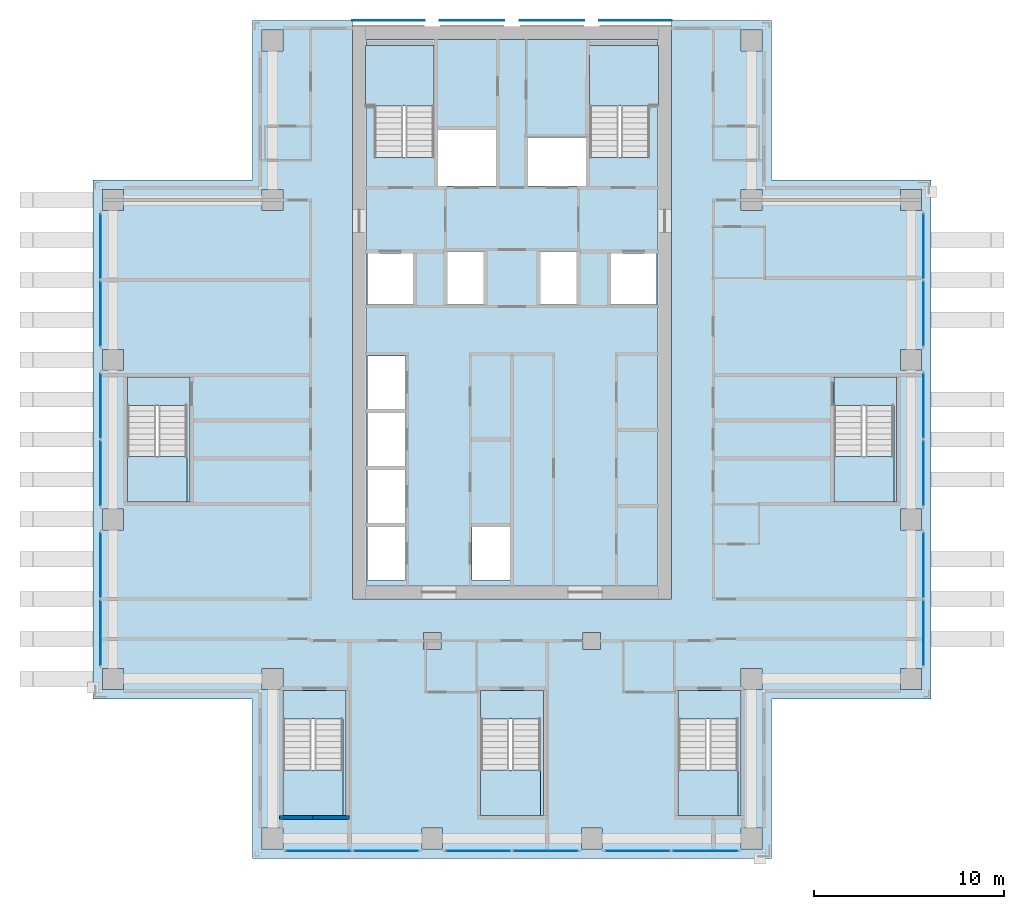
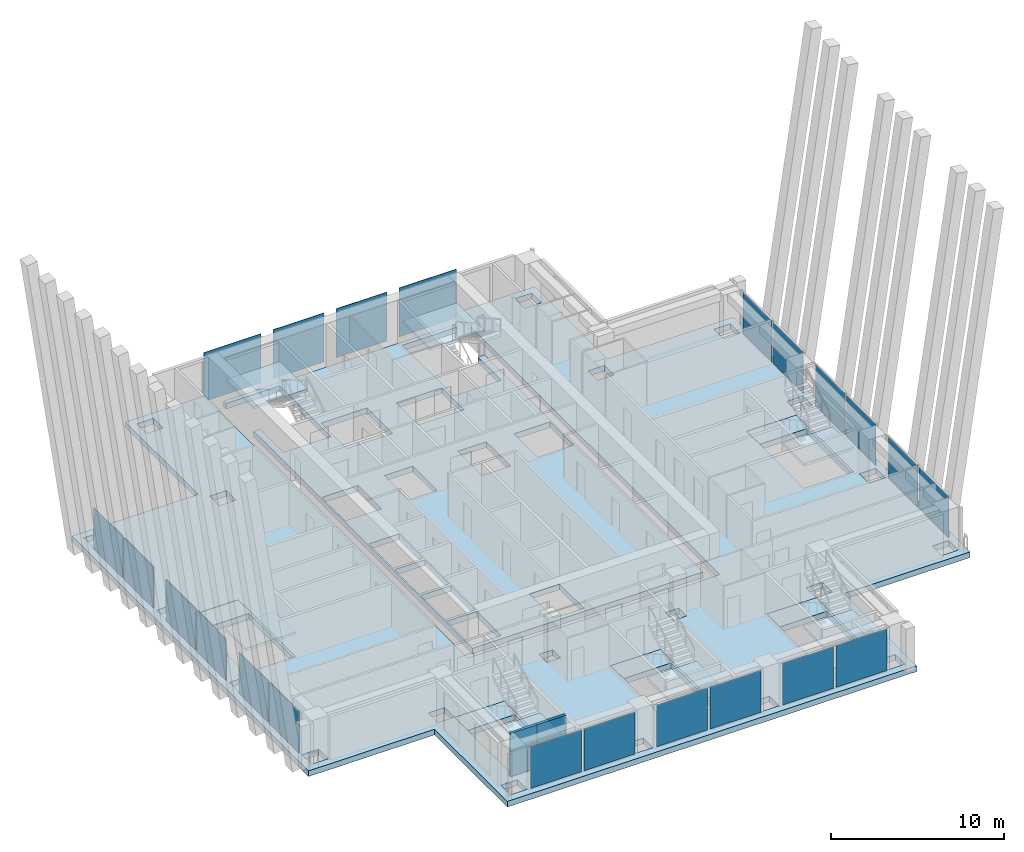
# One storey, part 7 of 15: 22 plates, 14 slabs, 2 walls, 16 elements without a shape of their own.
"""IFC4 building model written with IfcOpenShell, lengths in metres."""

from ifc_helpers import new_model, si_unit, direction, frame, frame_2d, origin, origin_2d, place, context, subcontext, project, spatial, polyline, rectangle, outline, extrude, material, layer, layer_set, type_object, element, aggregate, save


model = new_model("IFC4")

# Units and contexts
model_context = context("Model", 3, precision=1e-05, world=origin(), true_north=direction((0.0, 1.0)))
body_context = subcontext(model_context, "Body", "Model", "MODEL_VIEW")
ifc_project = project(units=[si_unit("LENGTHUNIT", "METRE"), si_unit("AREAUNIT", "SQUARE_METRE"), si_unit("VOLUMEUNIT", "CUBIC_METRE"), si_unit("PLANEANGLEUNIT", "RADIAN"), si_unit("MASSUNIT", "GRAM", prefix="KILO")], contexts=[model_context])

# Site, building, storey
site_placement = place(None, origin())
site = spatial("IfcSite", under=ifc_project, at=site_placement, CompositionType="ELEMENT")
building_placement = place(site_placement, origin())
building = spatial("IfcBuilding", under=site, at=building_placement, Name="Vermilion Ogive Tower", CompositionType="ELEMENT")
storey_placement = place(building_placement, frame((0.0, 0.0, 153.800048828125)))
storey = spatial("IfcBuildingStorey", under=building, at=storey_placement, Name="L39", CompositionType="ELEMENT", Elevation=153.800048828125)

# Curtain wall, plates
ifc_material_1 = material(Name="Low-iron laminated glazing in aluminium frame", Category="aluminium")
curtain_wall_type = type_object("IfcCurtainWallType", Name="Curtain wall CW7", PredefinedType="NOTDEFINED", material=ifc_material_1)
curtain_wall_1_placement = place(storey_placement, origin())
curtain_wall_1 = element("IfcCurtainWall", 1, at=curtain_wall_1_placement, inside=storey, type_object=curtain_wall_type, Name="Glazed skin S1", PredefinedType="NOTDEFINED")
ifc_material_2 = material(Name="Low-iron laminated glazing in aluminium frame", Category="aluminium")
ifc_layer_1 = layer(ifc_material_2, 0.031982421875)
ifc_layer_set_1 = layer_set([ifc_layer_1], Name="CW7 glazing panel 32")
plate_type_1 = type_object("IfcPlateType", Name="CW7 glazing panel 32", PredefinedType="CURTAIN_PANEL", material=ifc_layer_set_1)
plate_1_placement = place(storey_placement, frame((-10.179931640625, -21.64990234375, 0.06005859375), z_axis=(0.0, 0.0, 1.0), x_axis=(1.0, 0.0, 0.0)))
plate_1 = element("IfcPlate", 2, at=plate_1_placement, type_object=plate_type_1, Name="CW7-S1 panel 1.1", PredefinedType="CURTAIN_PANEL", context=body_context, shape_type="SweptSolid", body=[
    extrude(rectangle(XDim=3.3798828125, YDim=0.031982421875, at=origin_2d()), origin(), (0.0, 0.0, 1.0), 2.929931640625),
])
plate_2_placement = place(storey_placement, frame((-6.6201171875, -21.64990234375, 0.06005859375), z_axis=(0.0, 0.0, 1.0), x_axis=(1.0, 0.0, 0.0)))
plate_2 = element("IfcPlate", 3, at=plate_2_placement, type_object=plate_type_1, Name="CW7-S1 panel 2.1", PredefinedType="CURTAIN_PANEL", context=body_context, shape_type="SweptSolid", body=[
    extrude(rectangle(XDim=3.3798828125, YDim=0.031982421875, at=origin_2d()), origin(), (0.0, 0.0, 1.0), 2.929931640625),
])
aggregate(curtain_wall_1, [plate_1, plate_2])

curtain_wall_2_placement = place(storey_placement, origin())
curtain_wall_2 = element("IfcCurtainWall", 4, at=curtain_wall_2_placement, inside=storey, type_object=curtain_wall_type, Name="Glazed skin S2", PredefinedType="NOTDEFINED")
plate_3_placement = place(storey_placement, frame((-1.780029296875, -21.64990234375, 0.06005859375), z_axis=(0.0, 0.0, 1.0), x_axis=(1.0, 0.0, 0.0)))
plate_3 = element("IfcPlate", 5, at=plate_3_placement, type_object=plate_type_1, Name="CW7-S2 panel 1.1", PredefinedType="CURTAIN_PANEL", context=body_context, shape_type="SweptSolid", body=[
    extrude(rectangle(XDim=3.3798828125, YDim=0.031982421875, at=origin_2d()), origin(), (0.0, 0.0, 1.0), 2.929931640625),
])
plate_4_placement = place(storey_placement, frame((1.780029296875, -21.64990234375, 0.06005859375), z_axis=(0.0, 0.0, 1.0), x_axis=(1.0, 0.0, 0.0)))
plate_4 = element("IfcPlate", 6, at=plate_4_placement, type_object=plate_type_1, Name="CW7-S2 panel 2.1", PredefinedType="CURTAIN_PANEL", context=body_context, shape_type="SweptSolid", body=[
    extrude(rectangle(XDim=3.3798828125, YDim=0.031982421875, at=origin_2d()), origin(), (0.0, 0.0, 1.0), 2.929931640625),
])
aggregate(curtain_wall_2, [plate_3, plate_4])

curtain_wall_3_placement = place(storey_placement, origin())
curtain_wall_3 = element("IfcCurtainWall", 7, at=curtain_wall_3_placement, inside=storey, type_object=curtain_wall_type, Name="Glazed skin S3", PredefinedType="NOTDEFINED")
plate_5_placement = place(storey_placement, frame((6.6201171875, -21.64990234375, 0.06005859375), z_axis=(0.0, 0.0, 1.0), x_axis=(1.0, 0.0, 0.0)))
plate_5 = element("IfcPlate", 8, at=plate_5_placement, type_object=plate_type_1, Name="CW7-S3 panel 1.1", PredefinedType="CURTAIN_PANEL", context=body_context, shape_type="SweptSolid", body=[
    extrude(rectangle(XDim=3.3798828125, YDim=0.031982421875, at=origin_2d()), origin(), (0.0, 0.0, 1.0), 2.929931640625),
])
plate_6_placement = place(storey_placement, frame((10.179931640625, -21.64990234375, 0.06005859375), z_axis=(0.0, 0.0, 1.0), x_axis=(1.0, 0.0, 0.0)))
plate_6 = element("IfcPlate", 9, at=plate_6_placement, type_object=plate_type_1, Name="CW7-S3 panel 2.1", PredefinedType="CURTAIN_PANEL", context=body_context, shape_type="SweptSolid", body=[
    extrude(rectangle(XDim=3.3798828125, YDim=0.031982421875, at=origin_2d()), origin(), (0.0, 0.0, 1.0), 2.929931640625),
])
aggregate(curtain_wall_3, [plate_5, plate_6])

curtain_wall_4_placement = place(storey_placement, origin())
curtain_wall_4 = element("IfcCurtainWall", 10, at=curtain_wall_4_placement, inside=storey, type_object=curtain_wall_type, Name="Glazed skin E1", PredefinedType="NOTDEFINED")
plate_7_placement = place(storey_placement, frame((21.64990234375, -10.179931640625, 0.06005859375), z_axis=(0.0, 0.0, 1.0), x_axis=(0.0, 1.0, 0.0)))
plate_7 = element("IfcPlate", 11, at=plate_7_placement, type_object=plate_type_1, Name="CW7-E1 panel 1.1", PredefinedType="CURTAIN_PANEL", context=body_context, shape_type="SweptSolid", body=[
    extrude(rectangle(XDim=3.3798828125, YDim=0.031982421875, at=origin_2d()), origin(), (0.0, 0.0, 1.0), 2.929931640625),
])
plate_8_placement = place(storey_placement, frame((21.64990234375, -6.6201171875, 0.06005859375), z_axis=(0.0, 0.0, 1.0), x_axis=(0.0, 1.0, 0.0)))
plate_8 = element("IfcPlate", 12, at=plate_8_placement, type_object=plate_type_1, Name="CW7-E1 panel 2.1", PredefinedType="CURTAIN_PANEL", context=body_context, shape_type="SweptSolid", body=[
    extrude(rectangle(XDim=3.3798828125, YDim=0.031982421875, at=origin_2d()), origin(), (0.0, 0.0, 1.0), 2.929931640625),
])
aggregate(curtain_wall_4, [plate_7, plate_8])

curtain_wall_5_placement = place(storey_placement, origin())
curtain_wall_5 = element("IfcCurtainWall", 13, at=curtain_wall_5_placement, inside=storey, type_object=curtain_wall_type, Name="Glazed skin E2", PredefinedType="NOTDEFINED")
plate_9_placement = place(storey_placement, frame((21.64990234375, -1.780029296875, 0.06005859375), z_axis=(0.0, 0.0, 1.0), x_axis=(0.0, 1.0, 0.0)))
plate_9 = element("IfcPlate", 14, at=plate_9_placement, type_object=plate_type_1, Name="CW7-E2 panel 1.1", PredefinedType="CURTAIN_PANEL", context=body_context, shape_type="SweptSolid", body=[
    extrude(rectangle(XDim=3.3798828125, YDim=0.031982421875, at=origin_2d()), origin(), (0.0, 0.0, 1.0), 2.929931640625),
])
plate_10_placement = place(storey_placement, frame((21.64990234375, 1.780029296875, 0.06005859375), z_axis=(0.0, 0.0, 1.0), x_axis=(0.0, 1.0, 0.0)))
plate_10 = element("IfcPlate", 15, at=plate_10_placement, type_object=plate_type_1, Name="CW7-E2 panel 2.1", PredefinedType="CURTAIN_PANEL", context=body_context, shape_type="SweptSolid", body=[
    extrude(rectangle(XDim=3.3798828125, YDim=0.031982421875, at=origin_2d()), origin(), (0.0, 0.0, 1.0), 2.929931640625),
])
aggregate(curtain_wall_5, [plate_9, plate_10])

curtain_wall_6_placement = place(storey_placement, origin())
curtain_wall_6 = element("IfcCurtainWall", 16, at=curtain_wall_6_placement, inside=storey, type_object=curtain_wall_type, Name="Glazed skin E3", PredefinedType="NOTDEFINED")
plate_11_placement = place(storey_placement, frame((21.64990234375, 6.6201171875, 0.06005859375), z_axis=(0.0, 0.0, 1.0), x_axis=(0.0, 1.0, 0.0)))
plate_11 = element("IfcPlate", 17, at=plate_11_placement, type_object=plate_type_1, Name="CW7-E3 panel 1.1", PredefinedType="CURTAIN_PANEL", context=body_context, shape_type="SweptSolid", body=[
    extrude(rectangle(XDim=3.3798828125, YDim=0.031982421875, at=origin_2d()), origin(), (0.0, 0.0, 1.0), 2.929931640625),
])
plate_12_placement = place(storey_placement, frame((21.64990234375, 10.179931640625, 0.06005859375), z_axis=(0.0, 0.0, 1.0), x_axis=(0.0, 1.0, 0.0)))
plate_12 = element("IfcPlate", 18, at=plate_12_placement, type_object=plate_type_1, Name="CW7-E3 panel 2.1", PredefinedType="CURTAIN_PANEL", context=body_context, shape_type="SweptSolid", body=[
    extrude(rectangle(XDim=3.3798828125, YDim=0.031982421875, at=origin_2d()), origin(), (0.0, 0.0, 1.0), 2.929931640625),
])
aggregate(curtain_wall_6, [plate_11, plate_12])

curtain_wall_7_placement = place(storey_placement, origin())
curtain_wall_7 = element("IfcCurtainWall", 19, at=curtain_wall_7_placement, inside=storey, type_object=curtain_wall_type, Name="Glazed skin W1", PredefinedType="NOTDEFINED")
plate_13_placement = place(storey_placement, frame((-21.64990234375, 10.179931640625, 0.06005859375), z_axis=(0.0, 0.0, 1.0), x_axis=(0.0, -1.0, 0.0)))
plate_13 = element("IfcPlate", 20, at=plate_13_placement, type_object=plate_type_1, Name="CW7-W1 panel 1.1", PredefinedType="CURTAIN_PANEL", context=body_context, shape_type="SweptSolid", body=[
    extrude(rectangle(XDim=3.3798828125, YDim=0.031982421875, at=origin_2d()), origin(), (0.0, 0.0, 1.0), 2.929931640625),
])
plate_14_placement = place(storey_placement, frame((-21.64990234375, 6.6201171875, 0.06005859375), z_axis=(0.0, 0.0, 1.0), x_axis=(0.0, -1.0, 0.0)))
plate_14 = element("IfcPlate", 21, at=plate_14_placement, type_object=plate_type_1, Name="CW7-W1 panel 2.1", PredefinedType="CURTAIN_PANEL", context=body_context, shape_type="SweptSolid", body=[
    extrude(rectangle(XDim=3.3798828125, YDim=0.031982421875, at=origin_2d()), origin(), (0.0, 0.0, 1.0), 2.929931640625),
])
aggregate(curtain_wall_7, [plate_13, plate_14])

curtain_wall_8_placement = place(storey_placement, origin())
curtain_wall_8 = element("IfcCurtainWall", 22, at=curtain_wall_8_placement, inside=storey, type_object=curtain_wall_type, Name="Glazed skin W2", PredefinedType="NOTDEFINED")
plate_15_placement = place(storey_placement, frame((-21.64990234375, 1.780029296875, 0.06005859375), z_axis=(0.0, 0.0, 1.0), x_axis=(0.0, -1.0, 0.0)))
plate_15 = element("IfcPlate", 23, at=plate_15_placement, type_object=plate_type_1, Name="CW7-W2 panel 1.1", PredefinedType="CURTAIN_PANEL", context=body_context, shape_type="SweptSolid", body=[
    extrude(rectangle(XDim=3.3798828125, YDim=0.031982421875, at=origin_2d()), origin(), (0.0, 0.0, 1.0), 2.929931640625),
])
plate_16_placement = place(storey_placement, frame((-21.64990234375, -1.780029296875, 0.06005859375), z_axis=(0.0, 0.0, 1.0), x_axis=(0.0, -1.0, 0.0)))
plate_16 = element("IfcPlate", 24, at=plate_16_placement, type_object=plate_type_1, Name="CW7-W2 panel 2.1", PredefinedType="CURTAIN_PANEL", context=body_context, shape_type="SweptSolid", body=[
    extrude(rectangle(XDim=3.3798828125, YDim=0.031982421875, at=origin_2d()), origin(), (0.0, 0.0, 1.0), 2.929931640625),
])
aggregate(curtain_wall_8, [plate_15, plate_16])

curtain_wall_9_placement = place(storey_placement, origin())
curtain_wall_9 = element("IfcCurtainWall", 25, at=curtain_wall_9_placement, inside=storey, type_object=curtain_wall_type, Name="Glazed skin W3", PredefinedType="NOTDEFINED")
plate_17_placement = place(storey_placement, frame((-21.64990234375, -6.6201171875, 0.06005859375), z_axis=(0.0, 0.0, 1.0), x_axis=(0.0, -1.0, 0.0)))
plate_17 = element("IfcPlate", 26, at=plate_17_placement, type_object=plate_type_1, Name="CW7-W3 panel 1.1", PredefinedType="CURTAIN_PANEL", context=body_context, shape_type="SweptSolid", body=[
    extrude(rectangle(XDim=3.3798828125, YDim=0.031982421875, at=origin_2d()), origin(), (0.0, 0.0, 1.0), 2.929931640625),
])
plate_18_placement = place(storey_placement, frame((-21.64990234375, -10.179931640625, 0.06005859375), z_axis=(0.0, 0.0, 1.0), x_axis=(0.0, -1.0, 0.0)))
plate_18 = element("IfcPlate", 27, at=plate_18_placement, type_object=plate_type_1, Name="CW7-W3 panel 2.1", PredefinedType="CURTAIN_PANEL", context=body_context, shape_type="SweptSolid", body=[
    extrude(rectangle(XDim=3.3798828125, YDim=0.031982421875, at=origin_2d()), origin(), (0.0, 0.0, 1.0), 2.929931640625),
])
aggregate(curtain_wall_9, [plate_17, plate_18])

# Slabs
ifc_material_3 = material(Name="Concrete B40", Category="concrete")
ifc_layer_2 = layer(ifc_material_3, 0.39990234375)
ifc_layer_set_2 = layer_set([ifc_layer_2], Name="Core floor slab 400 B40")
slab_type_1 = type_object("IfcSlabType", Name="Core floor slab 400 B40", PredefinedType="FLOOR", material=ifc_layer_set_2)
slab_1_placement = place(storey_placement, frame((0.0, 0.0, -0.400146484375)))
element("IfcSlab", 28, at=slab_1_placement, inside=storey, type_object=slab_type_1, Name="L39-CK-FS1", PredefinedType="FLOOR", context=body_context, shape_type="SweptSolid", body=[
    extrude(outline(polyline([(5.75, 14.85009765625), (5.60009765625, 14.85009765625), (5.60009765625, 14.85205078125), (4.10009765625, 14.85205078125), (4.10009765625, 17.550048828125), (4.074951171875, 17.550048828125), (4.074951171875, 20.75), (7.696044921875, 20.75), (7.696044921875, 21.0458984375), (-7.696044921875, 21.0458984375), (-7.696044921875, 20.75), (-4.10009765625, 20.75), (-4.10009765625, 14.85205078125), (-5.60009765625, 14.85205078125), (-5.60009765625, 14.85009765625), (-5.75, 14.85009765625), (-5.75, 14.85205078125), (-7.25, 14.85205078125), (-7.25, 17.550048828125), (-7.696044921875, 17.550048828125), (-7.696044921875, -7.696044921875), (7.696044921875, -7.696044921875), (7.696044921875, 17.550048828125), (7.25, 17.550048828125), (7.25, 14.85205078125), (5.75, 14.85205078125), (5.75, 14.85009765625)]), holes=[polyline([(-7.60009765625, -7.39990234375), (-7.60009765625, -4.60009765625), (-5.60009765625, -4.60009765625), (-5.60009765625, -7.39990234375), (-7.60009765625, -7.39990234375)]), polyline([(-7.60009765625, -4.39990234375), (-7.60009765625, -1.60009765625), (-5.60009765625, -1.60009765625), (-5.60009765625, -4.39990234375), (-7.60009765625, -4.39990234375)]), polyline([(-7.60009765625, -1.39990234375), (-7.60009765625, 1.39990234375), (-5.60009765625, 1.39990234375), (-5.60009765625, -1.39990234375), (-7.60009765625, -1.39990234375)]), polyline([(-7.60009765625, 1.60009765625), (-7.60009765625, 4.39990234375), (-5.60009765625, 4.39990234375), (-5.60009765625, 1.60009765625), (-7.60009765625, 1.60009765625)]), polyline([(-7.60009765625, 7.10009765625), (-7.60009765625, 9.800048828125), (-5.199951171875, 9.800048828125), (-5.199951171875, 7.10009765625), (-7.60009765625, 7.10009765625)]), polyline([(-3.39990234375, 9.89990234375), (-1.5, 9.89990234375), (-1.5, 7.10009765625), (-3.39990234375, 7.10009765625), (-3.39990234375, 9.89990234375)]), polyline([(-2.10009765625, -7.39990234375), (-2.10009765625, -4.60009765625), (-0.10009765625, -4.60009765625), (-0.10009765625, -7.39990234375), (-2.10009765625, -7.39990234375)]), polyline([(5.199951171875, 7.10009765625), (5.199951171875, 9.800048828125), (7.60009765625, 9.800048828125), (7.60009765625, 7.10009765625), (5.199951171875, 7.10009765625)]), polyline([(1.5, 7.10009765625), (1.5, 9.89990234375), (3.39990234375, 9.89990234375), (3.39990234375, 7.10009765625), (1.5, 7.10009765625)]), polyline([(0.85009765625, 13.35009765625), (0.85009765625, 15.89990234375), (3.89990234375, 15.89990234375), (3.89990234375, 13.35009765625), (0.85009765625, 13.35009765625)]), polyline([(-3.89990234375, 16.300048828125), (-0.85009765625, 16.300048828125), (-0.85009765625, 13.35009765625), (-3.89990234375, 13.35009765625), (-3.89990234375, 16.300048828125)])]), origin(), (0.0, 0.0, 1.0), 0.400146484375),
])
slab_2_placement = place(storey_placement, frame((0.0, 0.0, -0.400146484375)))
element("IfcSlab", 29, at=slab_2_placement, inside=storey, type_object=slab_type_1, Name="L39-SF-ST3-1", PredefinedType="FLOOR", context=body_context, shape_type="SweptSolid", body=[
    extrude(outline(polyline([(-12.050048828125, -13.199951171875), (-12.050048828125, -14.701904296875), (-10.550048828125, -14.701904296875), (-10.550048828125, -14.699951171875), (-10.39990234375, -14.699951171875), (-10.39990234375, -14.701904296875), (-8.89990234375, -14.701904296875), (-8.89990234375, -19.800048828125), (-8.75, -19.800048828125), (-8.75, -13.199951171875), (-12.050048828125, -13.199951171875)])), origin(), (0.0, 0.0, 1.0), 0.400146484375),
])
slab_3_placement = place(storey_placement, frame((0.0, 0.0, -0.400146484375)))
element("IfcSlab", 30, at=slab_3_placement, inside=storey, type_object=slab_type_1, Name="L39-SF-ST4-1", PredefinedType="FLOOR", context=body_context, shape_type="SweptSolid", body=[
    extrude(outline(polyline([(-1.64990234375, -13.199951171875), (-1.64990234375, -14.701904296875), (-0.14990234375, -14.701904296875), (-0.14990234375, -14.699951171875), (0.0, -14.699951171875), (0.0, -14.701904296875), (1.5, -14.701904296875), (1.5, -19.800048828125), (1.64990234375, -19.800048828125), (1.64990234375, -13.199951171875), (-1.64990234375, -13.199951171875)])), origin(), (0.0, 0.0, 1.0), 0.400146484375),
])
slab_4_placement = place(storey_placement, frame((0.0, 0.0, -0.400146484375)))
element("IfcSlab", 31, at=slab_4_placement, inside=storey, type_object=slab_type_1, Name="L39-SF-ST5-1", PredefinedType="FLOOR", context=body_context, shape_type="SweptSolid", body=[
    extrude(outline(polyline([(8.75, -13.199951171875), (8.75, -14.701904296875), (10.25, -14.701904296875), (10.25, -14.699951171875), (10.39990234375, -14.699951171875), (10.39990234375, -14.701904296875), (11.89990234375, -14.701904296875), (11.89990234375, -19.800048828125), (12.050048828125, -19.800048828125), (12.050048828125, -13.199951171875), (8.75, -13.199951171875)])), origin(), (0.0, 0.0, 1.0), 0.400146484375),
])
slab_5_placement = place(storey_placement, frame((0.0, 0.0, -0.400146484375)))
element("IfcSlab", 32, at=slab_5_placement, inside=storey, type_object=slab_type_1, Name="L39-SF-ST8-1", PredefinedType="FLOOR", context=body_context, shape_type="SweptSolid", body=[
    extrude(outline(polyline([(16.949951171875, 3.300048828125), (16.949951171875, 1.798095703125), (18.449951171875, 1.798095703125), (18.449951171875, 1.800048828125), (18.60009765625, 1.800048828125), (18.60009765625, 1.798095703125), (20.10009765625, 1.798095703125), (20.10009765625, -3.300048828125), (20.25, -3.300048828125), (20.25, 3.300048828125), (16.949951171875, 3.300048828125)])), origin(), (0.0, 0.0, 1.0), 0.400146484375),
])
slab_6_placement = place(storey_placement, frame((0.0, 0.0, -0.400146484375)))
element("IfcSlab", 33, at=slab_6_placement, inside=storey, type_object=slab_type_1, Name="L39-SF-ST9-1", PredefinedType="FLOOR", context=body_context, shape_type="SweptSolid", body=[
    extrude(outline(polyline([(-20.25, 3.300048828125), (-20.25, 1.798095703125), (-18.75, 1.798095703125), (-18.75, 1.800048828125), (-18.60009765625, 1.800048828125), (-18.60009765625, 1.798095703125), (-17.10009765625, 1.798095703125), (-17.10009765625, -3.300048828125), (-16.949951171875, -3.300048828125), (-16.949951171875, 3.300048828125), (-20.25, 3.300048828125)])), origin(), (0.0, 0.0, 1.0), 0.400146484375),
])

# Plates
ifc_material_4 = material(Name="Low-iron laminated glazing in aluminium frame", Category="aluminium")
ifc_layer_3 = layer(ifc_material_4, 0.031982421875)
ifc_layer_set_3 = layer_set([ifc_layer_3], Name="Glazed rainscreen sheet 32")
plate_type_2 = type_object("IfcPlateType", Name="Glazed rainscreen sheet 32", PredefinedType="SHEET", material=ifc_layer_set_3)
plate_19_placement = place(storey_placement, frame((-6.510009765625, 22.06591796875, -0.39990234375), z_axis=(0.0, 0.0, 1.0), x_axis=(1.0, 0.0, 0.0)))
element("IfcPlate", 34, at=plate_19_placement, inside=storey, type_object=plate_type_2, Name="Glazed rainscreen sheet N1", PredefinedType="SHEET", context=body_context, shape_type="SweptSolid", body=[
    extrude(rectangle(XDim=3.820068359375, YDim=0.031982421875, at=origin_2d()), origin(), (0.0, 0.0, 1.0), 3.449951171875),
])
for number, where, z_axis, x_axis, name in (
    (35, (-2.10009765625, 22.06591796875, -0.39990234375), (0.0, 0.0, 1.0), (1.0, 0.0, 0.0), "Glazed rainscreen sheet N2"),
    (36, (2.10009765625, 22.06591796875, -0.39990234375), (0.0, 0.0, 1.0), (1.0, 0.0, 0.0), "Glazed rainscreen sheet N3"),
):
    element("IfcPlate", number, at=place(storey_placement, frame(where, z_axis=z_axis, x_axis=x_axis)), inside=storey, type_object=plate_type_2, Name=name, PredefinedType="SHEET", context=body_context, shape_type="SweptSolid", body=[
        extrude(rectangle(XDim=3.39990234375, YDim=0.031982421875, at=origin_2d()), origin(), (0.0, 0.0, 1.0), 3.449951171875),
    ])
plate_20_placement = place(storey_placement, frame((6.510009765625, 22.06591796875, -0.39990234375), z_axis=(0.0, 0.0, 1.0), x_axis=(1.0, 0.0, 0.0)))
element("IfcPlate", 37, at=plate_20_placement, inside=storey, type_object=plate_type_2, Name="Glazed rainscreen sheet N4", PredefinedType="SHEET", context=body_context, shape_type="SweptSolid", body=[
    extrude(rectangle(XDim=3.820068359375, YDim=0.031982421875, at=origin_2d()), origin(), (0.0, 0.0, 1.0), 3.449951171875),
])

# Slab
ifc_material_5 = material(Name="Concrete B45", Category="concrete")
ifc_layer_4 = layer(ifc_material_5, 0.39990234375)
ifc_layer_set_4 = layer_set([ifc_layer_4], Name="Post-tensioned flat plate 400 B45")
slab_type_2 = type_object("IfcSlabType", Name="Post-tensioned flat plate 400 B45", PredefinedType="FLOOR", material=ifc_layer_set_4)
slab_7_placement = place(storey_placement, frame((0.0, 0.0, -0.400146484375)))
element("IfcSlab", 38, at=slab_7_placement, inside=storey, type_object=slab_type_2, Name="L39-SL-1", PredefinedType="FLOOR", context=body_context, shape_type="SweptSolid", body=[
    extrude(outline(polyline([(-13.64990234375, -13.64990234375), (-22.050048828125, -13.64990234375), (-22.050048828125, 13.64990234375), (-13.64990234375, 13.64990234375), (-13.64990234375, 22.050048828125), (-8.39990234375, 22.050048828125), (-8.39990234375, -8.39990234375), (8.39990234375, -8.39990234375), (8.39990234375, 22.050048828125), (13.64990234375, 22.050048828125), (13.64990234375, 13.64990234375), (22.050048828125, 13.64990234375), (22.050048828125, -13.64990234375), (13.64990234375, -13.64990234375), (13.64990234375, -22.050048828125), (-13.64990234375, -22.050048828125), (-13.64990234375, -13.64990234375)]), holes=[polyline([(21.550048828125, 12.050048828125), (21.550048828125, 13.14990234375), (20.449951171875, 13.14990234375), (20.449951171875, 12.050048828125), (21.550048828125, 12.050048828125)]), polyline([(21.550048828125, 3.64990234375), (21.550048828125, 4.75), (20.449951171875, 4.75), (20.449951171875, 3.64990234375), (21.550048828125, 3.64990234375)]), polyline([(21.550048828125, -4.75), (21.550048828125, -3.64990234375), (20.449951171875, -3.64990234375), (20.449951171875, -4.75), (21.550048828125, -4.75)]), polyline([(21.550048828125, -13.14990234375), (21.550048828125, -12.050048828125), (20.449951171875, -12.050048828125), (20.449951171875, -13.14990234375), (21.550048828125, -13.14990234375)]), polyline([(20.25, -3.300048828125), (20.25, 3.300048828125), (16.949951171875, 3.300048828125), (16.949951171875, -3.300048828125), (20.25, -3.300048828125)]), polyline([(13.14990234375, 20.449951171875), (13.14990234375, 21.550048828125), (12.050048828125, 21.550048828125), (12.050048828125, 20.449951171875), (13.14990234375, 20.449951171875)]), polyline([(13.14990234375, 12.050048828125), (13.14990234375, 13.14990234375), (12.050048828125, 13.14990234375), (12.050048828125, 12.050048828125), (13.14990234375, 12.050048828125)]), polyline([(13.14990234375, -13.14990234375), (13.14990234375, -12.050048828125), (12.050048828125, -12.050048828125), (12.050048828125, -13.14990234375), (13.14990234375, -13.14990234375)]), polyline([(13.14990234375, -21.550048828125), (13.14990234375, -20.449951171875), (12.050048828125, -20.449951171875), (12.050048828125, -21.550048828125), (13.14990234375, -21.550048828125)]), polyline([(12.050048828125, -19.800048828125), (12.050048828125, -13.199951171875), (8.75, -13.199951171875), (8.75, -19.800048828125), (12.050048828125, -19.800048828125)]), polyline([(4.75, -20.449951171875), (3.64990234375, -20.449951171875), (3.64990234375, -21.550048828125), (4.75, -21.550048828125), (4.75, -20.449951171875)]), polyline([(4.64990234375, -11.050048828125), (4.64990234375, -10.14990234375), (3.75, -10.14990234375), (3.75, -11.050048828125), (4.64990234375, -11.050048828125)]), polyline([(1.64990234375, -19.800048828125), (1.64990234375, -13.199951171875), (-1.64990234375, -13.199951171875), (-1.64990234375, -19.800048828125), (1.64990234375, -19.800048828125)]), polyline([(-3.64990234375, -21.550048828125), (-3.64990234375, -20.449951171875), (-4.75, -20.449951171875), (-4.75, -21.550048828125), (-3.64990234375, -21.550048828125)]), polyline([(-3.75, -11.050048828125), (-3.75, -10.14990234375), (-4.64990234375, -10.14990234375), (-4.64990234375, -11.050048828125), (-3.75, -11.050048828125)]), polyline([(-8.75, -19.800048828125), (-8.75, -13.199951171875), (-12.050048828125, -13.199951171875), (-12.050048828125, -19.800048828125), (-8.75, -19.800048828125)]), polyline([(-12.050048828125, 20.449951171875), (-12.050048828125, 21.550048828125), (-13.14990234375, 21.550048828125), (-13.14990234375, 20.449951171875), (-12.050048828125, 20.449951171875)]), polyline([(-12.050048828125, 12.050048828125), (-12.050048828125, 13.14990234375), (-13.14990234375, 13.14990234375), (-13.14990234375, 12.050048828125), (-12.050048828125, 12.050048828125)]), polyline([(-12.050048828125, -13.14990234375), (-12.050048828125, -12.050048828125), (-13.14990234375, -12.050048828125), (-13.14990234375, -13.14990234375), (-12.050048828125, -13.14990234375)]), polyline([(-12.050048828125, -20.449951171875), (-13.14990234375, -20.449951171875), (-13.14990234375, -21.550048828125), (-12.050048828125, -21.550048828125), (-12.050048828125, -20.449951171875)]), polyline([(-16.949951171875, -3.300048828125), (-16.949951171875, 3.300048828125), (-20.25, 3.300048828125), (-20.25, -3.300048828125), (-16.949951171875, -3.300048828125)]), polyline([(-20.449951171875, -13.14990234375), (-20.449951171875, -12.050048828125), (-21.550048828125, -12.050048828125), (-21.550048828125, -13.14990234375), (-20.449951171875, -13.14990234375)]), polyline([(-20.449951171875, 12.050048828125), (-20.449951171875, 13.14990234375), (-21.550048828125, 13.14990234375), (-21.550048828125, 12.050048828125), (-20.449951171875, 12.050048828125)]), polyline([(-20.449951171875, 3.64990234375), (-20.449951171875, 4.75), (-21.550048828125, 4.75), (-21.550048828125, 3.64990234375), (-20.449951171875, 3.64990234375)]), polyline([(-20.449951171875, -4.75), (-20.449951171875, -3.64990234375), (-21.550048828125, -3.64990234375), (-21.550048828125, -4.75), (-20.449951171875, -4.75)])]), origin(), (0.0, 0.0, 1.0), 0.400146484375),
])

# Stair, slab
ifc_material_6 = material(Name="Concrete B40", Category="concrete")
stair_type = type_object("IfcStairType", Name="Exit stair 1500", PredefinedType="HALF_TURN_STAIR", material=ifc_material_6)
stair_1_placement = place(storey_placement, origin())
stair_1 = element("IfcStair", 39, at=stair_1_placement, inside=storey, type_object=stair_type, Name="L39 Exit Stair ST1", PredefinedType="HALF_TURN_STAIR")
ifc_material_7 = material(Name="Concrete B40", Category="concrete")
ifc_layer_5 = layer(ifc_material_7, 0.199951171875)
ifc_layer_set_5 = layer_set([ifc_layer_5], Name="Stair landing 200")
slab_type_3 = type_object("IfcSlabType", Name="Stair landing 200", PredefinedType="LANDING", material=ifc_layer_set_5)
slab_8_placement = place(storey_placement, frame((0.0, 0.0, 1.52490234375)))
slab_8 = element("IfcSlab", 40, at=slab_8_placement, type_object=slab_type_3, Name="ST1 landing 1", PredefinedType="LANDING", context=body_context, shape_type="SweptSolid", body=[
    extrude(outline(polyline([(-7.699951171875, 17.550048828125), (-7.25, 17.550048828125), (-7.25, 17.548095703125), (-5.75, 17.548095703125), (-5.75, 17.550048828125), (-5.60009765625, 17.550048828125), (-5.60009765625, 17.548095703125), (-4.10009765625, 17.548095703125), (-4.10009765625, 20.75), (-7.699951171875, 20.75), (-7.699951171875, 17.550048828125)])), origin(), (0.0, 0.0, 1.0), 0.199951171875),
])
aggregate(stair_1, [slab_8])

stair_2_placement = place(storey_placement, origin())
stair_2 = element("IfcStair", 41, at=stair_2_placement, inside=storey, type_object=stair_type, Name="L39 Exit Stair ST2", PredefinedType="HALF_TURN_STAIR")
slab_9_placement = place(storey_placement, frame((0.0, 0.0, 1.52490234375)))
slab_9 = element("IfcSlab", 42, at=slab_9_placement, type_object=slab_type_3, Name="ST2 landing 1", PredefinedType="LANDING", context=body_context, shape_type="SweptSolid", body=[
    extrude(outline(polyline([(5.60009765625, 17.550048828125), (5.75, 17.550048828125), (5.75, 17.548095703125), (7.25, 17.548095703125), (7.25, 17.550048828125), (7.699951171875, 17.550048828125), (7.699951171875, 20.75), (4.074951171875, 20.75), (4.074951171875, 17.550048828125), (4.10009765625, 17.550048828125), (4.10009765625, 17.548095703125), (5.60009765625, 17.548095703125), (5.60009765625, 17.550048828125)])), origin(), (0.0, 0.0, 1.0), 0.199951171875),
])
aggregate(stair_2, [slab_9])

stair_3_placement = place(storey_placement, origin())
stair_3 = element("IfcStair", 43, at=stair_3_placement, inside=storey, type_object=stair_type, Name="L39 Exit Stair ST3", PredefinedType="HALF_TURN_STAIR")
slab_10_placement = place(storey_placement, frame((0.0, 0.0, 1.52490234375)))
slab_10 = element("IfcSlab", 44, at=slab_10_placement, type_object=slab_type_3, Name="ST3 landing 1", PredefinedType="LANDING", context=body_context, shape_type="SweptSolid", body=[
    extrude(outline(polyline([(-8.75, -17.39990234375), (-8.89990234375, -17.39990234375), (-8.89990234375, -17.39794921875), (-10.39990234375, -17.39794921875), (-10.39990234375, -17.39990234375), (-10.550048828125, -17.39990234375), (-10.550048828125, -17.39794921875), (-12.050048828125, -17.39794921875), (-12.050048828125, -19.7998046875), (-8.75, -19.7998046875), (-8.75, -17.39990234375)])), origin(), (0.0, 0.0, 1.0), 0.199951171875),
])
aggregate(stair_3, [slab_10])

stair_4_placement = place(storey_placement, origin())
stair_4 = element("IfcStair", 45, at=stair_4_placement, inside=storey, type_object=stair_type, Name="L39 Exit Stair ST4", PredefinedType="HALF_TURN_STAIR")
slab_11_placement = place(storey_placement, frame((0.0, 0.0, 1.52490234375)))
slab_11 = element("IfcSlab", 46, at=slab_11_placement, type_object=slab_type_3, Name="ST4 landing 1", PredefinedType="LANDING", context=body_context, shape_type="SweptSolid", body=[
    extrude(outline(polyline([(1.64990234375, -17.39990234375), (1.5, -17.39990234375), (1.5, -17.39794921875), (0.0, -17.39794921875), (0.0, -17.39990234375), (-0.14990234375, -17.39990234375), (-0.14990234375, -17.39794921875), (-1.64990234375, -17.39794921875), (-1.64990234375, -19.7998046875), (1.64990234375, -19.7998046875), (1.64990234375, -17.39990234375)])), origin(), (0.0, 0.0, 1.0), 0.199951171875),
])
aggregate(stair_4, [slab_11])

stair_5_placement = place(storey_placement, origin())
stair_5 = element("IfcStair", 47, at=stair_5_placement, inside=storey, type_object=stair_type, Name="L39 Exit Stair ST5", PredefinedType="HALF_TURN_STAIR")
slab_12_placement = place(storey_placement, frame((0.0, 0.0, 1.52490234375)))
slab_12 = element("IfcSlab", 48, at=slab_12_placement, type_object=slab_type_3, Name="ST5 landing 1", PredefinedType="LANDING", context=body_context, shape_type="SweptSolid", body=[
    extrude(outline(polyline([(12.050048828125, -17.39990234375), (11.89990234375, -17.39990234375), (11.89990234375, -17.39794921875), (10.39990234375, -17.39794921875), (10.39990234375, -17.39990234375), (10.25, -17.39990234375), (10.25, -17.39794921875), (8.75, -17.39794921875), (8.75, -17.39990234375), (8.75, -17.39990234375), (8.75, -19.7998046875), (12.050048828125, -19.7998046875), (12.050048828125, -17.39990234375)])), origin(), (0.0, 0.0, 1.0), 0.199951171875),
])
aggregate(stair_5, [slab_12])

stair_6_placement = place(storey_placement, origin())
stair_6 = element("IfcStair", 49, at=stair_6_placement, inside=storey, type_object=stair_type, Name="L39 Exit Stair ST8", PredefinedType="HALF_TURN_STAIR")
slab_13_placement = place(storey_placement, frame((0.0, 0.0, 1.52490234375)))
slab_13 = element("IfcSlab", 50, at=slab_13_placement, type_object=slab_type_3, Name="ST8 landing 1", PredefinedType="LANDING", context=body_context, shape_type="SweptSolid", body=[
    extrude(outline(polyline([(20.25, -0.89990234375), (20.10009765625, -0.89990234375), (20.10009765625, -0.89794921875), (18.60009765625, -0.89794921875), (18.60009765625, -0.89990234375), (18.449951171875, -0.89990234375), (18.449951171875, -0.89794921875), (16.949951171875, -0.89794921875), (16.949951171875, -0.902099609375), (16.9501953125, -0.902099609375), (16.9501953125, -3.2998046875), (20.25, -3.2998046875), (20.25, -0.89990234375)])), origin(), (0.0, 0.0, 1.0), 0.199951171875),
])
aggregate(stair_6, [slab_13])

stair_7_placement = place(storey_placement, origin())
stair_7 = element("IfcStair", 51, at=stair_7_placement, inside=storey, type_object=stair_type, Name="L39 Exit Stair ST9", PredefinedType="HALF_TURN_STAIR")
slab_14_placement = place(storey_placement, frame((0.0, 0.0, 1.52490234375)))
slab_14 = element("IfcSlab", 52, at=slab_14_placement, type_object=slab_type_3, Name="ST9 landing 1", PredefinedType="LANDING", context=body_context, shape_type="SweptSolid", body=[
    extrude(outline(polyline([(-16.9501953125, -0.89990234375), (-17.10009765625, -0.89990234375), (-17.10009765625, -0.89794921875), (-18.60009765625, -0.89794921875), (-18.60009765625, -0.89990234375), (-18.75, -0.89990234375), (-18.75, -0.89794921875), (-20.25, -0.89794921875), (-20.25, -0.89990234375), (-20.25, -0.89990234375), (-20.25, -3.2998046875), (-16.9501953125, -3.2998046875), (-16.9501953125, -0.89990234375)])), origin(), (0.0, 0.0, 1.0), 0.199951171875),
])
aggregate(stair_7, [slab_14])

# Walls
ifc_material_8 = material(Name="Concrete B60", Category="concrete")
ifc_layer_6 = layer(ifc_material_8, 0.199951171875)
ifc_layer_set_6 = layer_set([ifc_layer_6], Name="Stair shaft wall 200 Concrete B60")
wall_type = type_object("IfcWallType", Name="Stair shaft wall 200 Concrete B60", PredefinedType="SOLIDWALL", material=ifc_layer_set_6)
wall_1_placement = place(storey_placement, frame((-10.477783203125, -19.89990234375, 0.0), z_axis=(0.0, 0.0, 1.0), x_axis=(1.0, 0.0, 0.0)))
element("IfcWall", 53, at=wall_1_placement, inside=storey, type_object=wall_type, Name="L39-W-W001", PredefinedType="SOLIDWALL", context=body_context, shape_type="SweptSolid", body=[
    extrude(rectangle(XDim=1.92578125, YDim=0.199951171875, at=frame_2d((0.962890625, 0.0))), origin(), (0.0, 0.0, 1.0), 3.050048828125),
])
wall_2_placement = place(storey_placement, frame((-12.25, -19.89990234375, 0.0), z_axis=(0.0, 0.0, 1.0), x_axis=(1.0, 0.0, 0.0)))
element("IfcWall", 54, at=wall_2_placement, inside=storey, type_object=wall_type, Name="L39-SW-ST3-S1", PredefinedType="SOLIDWALL", context=body_context, shape_type="SweptSolid", body=[
    extrude(rectangle(XDim=1.772216796875, YDim=0.199951171875, at=frame_2d((0.88623046875, 0.0))), origin(), (0.0, 0.0, 1.0), 3.050048828125),
])

save(model, "model.ifc")
